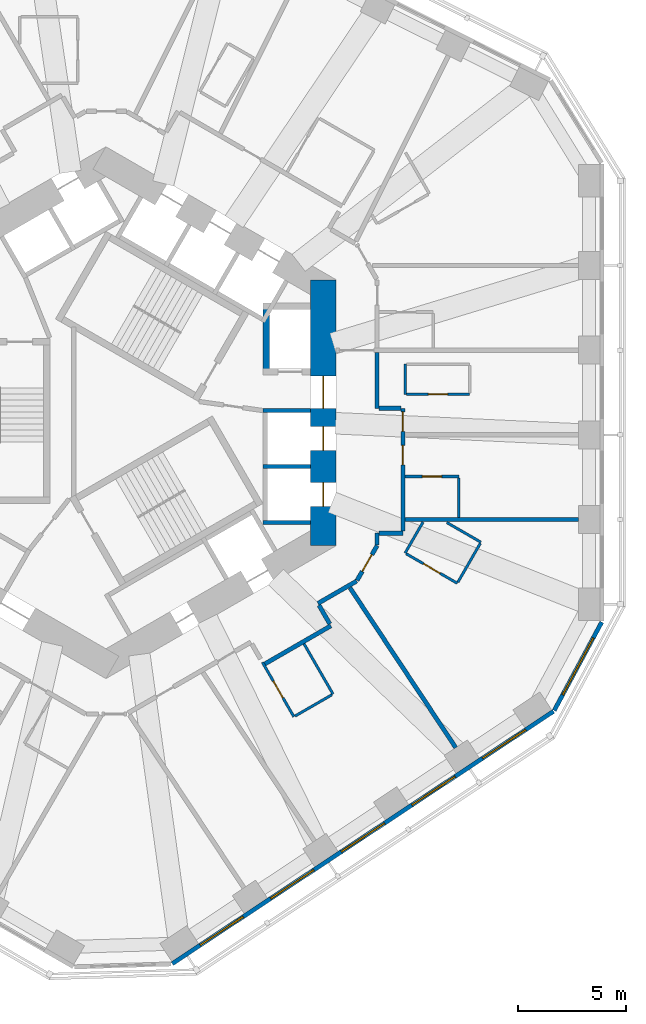
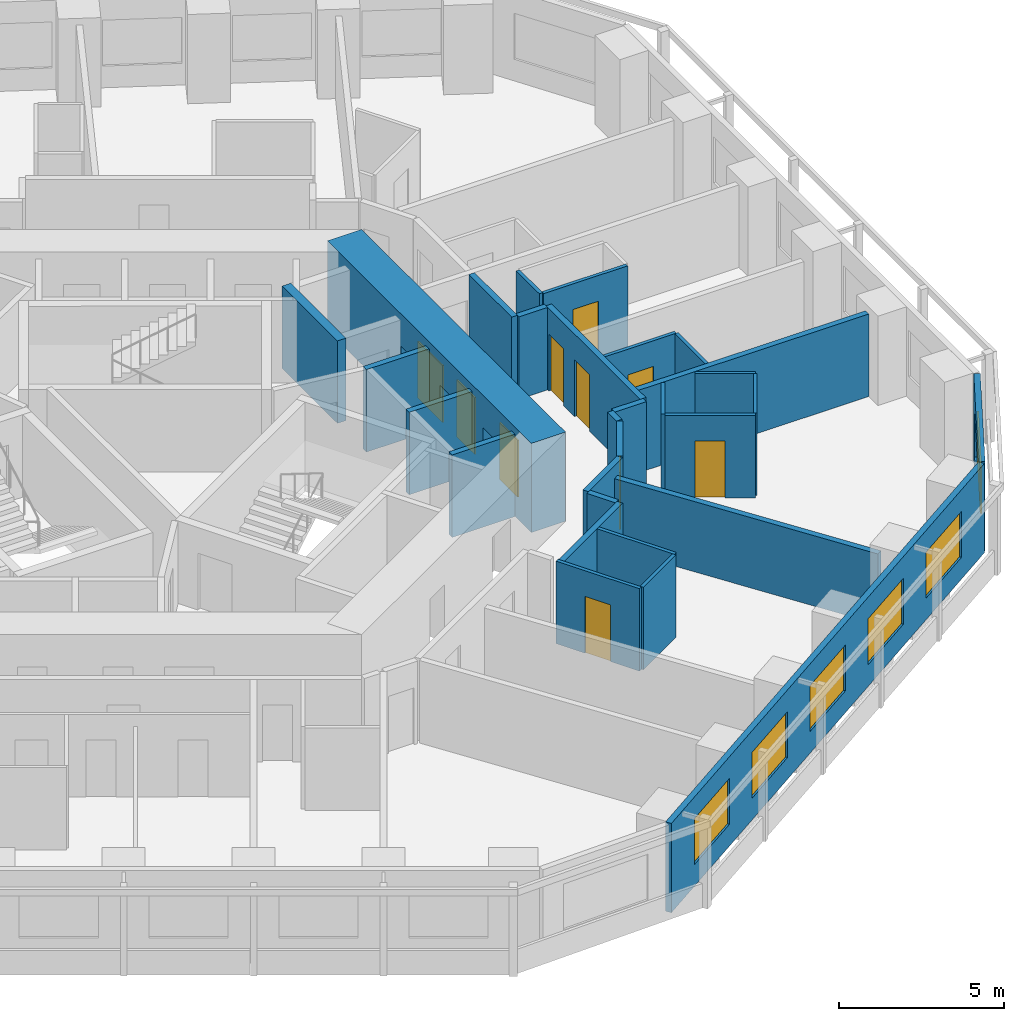
# One storey, part 6 of 12: 29 walls, 10 doors, 6 windows, 16 openings.
"""IFC4 building model written with IfcOpenShell, lengths in metres."""

from ifc_helpers import new_model, si_unit, direction, frame, frame_2d, origin, place, context, subcontext, project, spatial, rectangle, extrude, material, layer, layer_set, type_object, element, fill, save


model = new_model("IFC4")

# Units and contexts
model_context = context("Model", 3, precision=1e-05, world=origin(), true_north=direction((0.0, 1.0)))
body_context = subcontext(model_context, "Body", "Model", "MODEL_VIEW")
ifc_project = project(units=[si_unit("LENGTHUNIT", "METRE"), si_unit("AREAUNIT", "SQUARE_METRE"), si_unit("VOLUMEUNIT", "CUBIC_METRE"), si_unit("PLANEANGLEUNIT", "RADIAN"), si_unit("MASSUNIT", "GRAM", prefix="KILO")], contexts=[model_context])

# Site, building, storey
site_placement = place(None, origin())
site = spatial("IfcSite", under=ifc_project, at=site_placement, CompositionType="ELEMENT")
building_placement = place(site_placement, origin())
building = spatial("IfcBuilding", under=site, at=building_placement, Name="Vanh Sen Convention Tower", CompositionType="ELEMENT")
storey_placement = place(building_placement, frame((0.0, 0.0, 57.199951171875)))
storey = spatial("IfcBuildingStorey", under=building, at=storey_placement, Name="L11", CompositionType="ELEMENT", Elevation=57.199951171875)

# Wall, opening, door
ifc_material_1 = material(Name="Moisture-resistant gypsum board on steel studs", Category="steel")
ifc_layer_1 = layer(ifc_material_1, 0.1201171875)
ifc_layer_set_1 = layer_set([ifc_layer_1], Name="Moisture-resistant gypsum board on steel studs")
wall_type_1 = type_object("IfcWallType", Name="Bathroom partition 120", PredefinedType="PARTITIONING", material=ifc_layer_set_1)
wall_1_placement = place(storey_placement, frame((8.732666015625, -14.12744140625, 0.0), z_axis=(0.0, 0.0, 1.0), x_axis=(-0.499978132246, 0.86603802877, 0.0)))
wall_1 = element("IfcWall", 1, at=wall_1_placement, inside=storey, type_object=wall_type_1, Name="Bathroom partition 120", PredefinedType="PARTITIONING", context=body_context, shape_type="SweptSolid", body=[
    extrude(rectangle(XDim=2.920654296875, YDim=0.1201171875, at=frame_2d((1.46044921875, 0.0))), origin(), (0.0, 0.0, 1.0), 3.050048828125),
])
opening_1_placement = place(wall_1_placement, frame((1.01025390625, 0.0, 0.0)))
opening_1 = element("IfcOpeningElement", 2, at=opening_1_placement, cuts=wall_1, Name="Opening D10136", PredefinedType="OPENING", context=body_context, shape_type="SweptSolid", body=[
    extrude(rectangle(XDim=0.89990234375, YDim=2.10009765625, at=frame_2d((0.449951171875, 1.050048828125))), frame((0.0, 0.070068359375, 0.0), z_axis=(0.0, -1.0, 0.0), x_axis=(1.0, 0.0, 0.0)), (0.0, 0.0, 1.0), 0.14013671875),
])
ifc_material_2 = material(Name="Laminate door in steel frame", Category="steel")
door_type_1 = type_object("IfcDoorType", Name="En-suite door 900", OperationType="SINGLE_SWING_LEFT", PredefinedType="DOOR", material=ifc_material_2)
door_1_placement = place(opening_1_placement, origin())
door_1 = element("IfcDoor", 3, at=door_1_placement, inside=storey, type_object=door_type_1, Name="En-suite door D10136", OperationType="SINGLE_SWING_LEFT", OverallHeight=2.10009765625, OverallWidth=0.89990234375, PredefinedType="DOOR", context=body_context, shape_type="SweptSolid", body=[
    extrude(rectangle(XDim=0.89990234375, YDim=2.10009765625, at=frame_2d((0.449951171875, 1.050048828125))), frame((0.0, 0.02490234375, 0.0), z_axis=(0.0, -1.0, 0.0), x_axis=(1.0, 0.0, 0.0)), (0.0, 0.0, 1.0), 0.050048828125),
])
fill(opening_1, door_1)

# Walls
wall_2_placement = place(storey_placement, frame((9.202880859375, -10.738037109375, 0.0), z_axis=(0.0, 0.0, 1.0), x_axis=(0.50000943426, -0.866019956843, 0.0)))
element("IfcWall", 4, at=wall_2_placement, inside=storey, type_object=wall_type_1, Name="Bathroom partition 120", PredefinedType="PARTITIONING", context=body_context, shape_type="SweptSolid", body=[
    extrude(rectangle(XDim=2.7001953125, YDim=0.1201171875, at=frame_2d((1.35009765625, 0.0))), origin(), (0.0, 0.0, 1.0), 3.050048828125),
])
wall_3_placement = place(storey_placement, frame((10.5009765625, -13.1064453125, 0.0), z_axis=(0.0, 0.0, 1.0), x_axis=(-0.866013262469, -0.500021028785, 0.0)))
element("IfcWall", 5, at=wall_3_placement, inside=storey, type_object=wall_type_1, Name="Bathroom partition 120", PredefinedType="PARTITIONING", context=body_context, shape_type="SweptSolid", body=[
    extrude(rectangle(XDim=1.98193359375, YDim=0.1201171875, at=frame_2d((0.990966796875, 0.0))), origin(), (0.0, 0.0, 1.0), 3.050048828125),
])
wall_4_placement = place(storey_placement, frame((13.90087890625, -6.5244140625, 0.0), z_axis=(0.0, 0.0, 1.0), x_axis=(0.499964162598, 0.86604609353, 0.0)))
element("IfcWall", 6, at=wall_4_placement, inside=storey, type_object=wall_type_1, Name="Bathroom partition 120", PredefinedType="PARTITIONING", context=body_context, shape_type="SweptSolid", body=[
    extrude(rectangle(XDim=1.6611328125, YDim=0.1201171875, at=frame_2d((0.83056640625, 0.0))), origin(), (0.0, 0.0, 1.0), 3.050048828125),
])

# Wall, opening, door
wall_5_placement = place(storey_placement, frame((13.90087890625, -2.964599609375, 0.0), z_axis=(0.0, 0.0, 1.0), x_axis=(1.0, 0.0, 0.0)))
wall_5 = element("IfcWall", 7, at=wall_5_placement, inside=storey, type_object=wall_type_1, Name="Bathroom partition 120", PredefinedType="PARTITIONING", context=body_context, shape_type="SweptSolid", body=[
    extrude(rectangle(XDim=2.5, YDim=0.1201171875, at=frame_2d((1.25, 0.0))), origin(), (0.0, 0.0, 1.0), 3.050048828125),
])
opening_2_placement = place(wall_5_placement, frame((0.800048828125, 0.0, 0.0)))
opening_2 = element("IfcOpeningElement", 8, at=opening_2_placement, cuts=wall_5, Name="Opening D10102", PredefinedType="OPENING", context=body_context, shape_type="SweptSolid", body=[
    extrude(rectangle(XDim=0.89990234375, YDim=2.10009765625, at=frame_2d((0.449951171875, 1.050048828125))), frame((0.0, 0.070068359375, 0.0), z_axis=(0.0, -1.0, 0.0), x_axis=(1.0, 0.0, 0.0)), (0.0, 0.0, 1.0), 0.14013671875),
])
door_2_placement = place(opening_2_placement, origin())
door_2 = element("IfcDoor", 9, at=door_2_placement, inside=storey, type_object=door_type_1, Name="En-suite door D10102", OperationType="SINGLE_SWING_LEFT", OverallHeight=2.10009765625, OverallWidth=0.89990234375, PredefinedType="DOOR", context=body_context, shape_type="SweptSolid", body=[
    extrude(rectangle(XDim=0.89990234375, YDim=2.10009765625, at=frame_2d((0.449951171875, 1.050048828125))), frame((0.0, 0.02490234375, 0.0), z_axis=(0.0, -1.0, 0.0), x_axis=(1.0, 0.0, 0.0)), (0.0, 0.0, 1.0), 0.050048828125),
])
fill(opening_2, door_2)

# Walls
wall_6_placement = place(storey_placement, frame((13.89990234375, 0.852783203125, 0.0), z_axis=(0.0, 0.0, 1.0), x_axis=(0.0, 1.0, 0.0)))
element("IfcWall", 10, at=wall_6_placement, inside=storey, type_object=wall_type_1, Name="Bathroom partition 120", PredefinedType="PARTITIONING", context=body_context, shape_type="SweptSolid", body=[
    extrude(rectangle(XDim=1.39990234375, YDim=0.1201171875, at=frame_2d((0.699951171875, 0.0))), origin(), (0.0, 0.0, 1.0), 3.050048828125),
])
wall_7_placement = place(storey_placement, frame((15.84130859375, -5.1044921875, 0.0), z_axis=(0.0, 0.0, 1.0), x_axis=(0.866025591402, -0.499999675036, 0.0)))
element("IfcWall", 11, at=wall_7_placement, inside=storey, type_object=wall_type_1, Name="Bathroom partition 120", PredefinedType="PARTITIONING", context=body_context, shape_type="SweptSolid", body=[
    extrude(rectangle(XDim=1.82958984375, YDim=0.1201171875, at=frame_2d((0.914794921875, 0.0))), origin(), (0.0, 0.0, 1.0), 3.050048828125),
])

# Wall, opening, door
wall_8_placement = place(storey_placement, frame((16.32568359375, -7.924560546875, 0.0), z_axis=(0.0, 0.0, 1.0), x_axis=(-0.865997131366, 0.500048966069, 0.0)))
wall_8 = element("IfcWall", 12, at=wall_8_placement, inside=storey, type_object=wall_type_1, Name="Bathroom partition 120", PredefinedType="PARTITIONING", context=body_context, shape_type="SweptSolid", body=[
    extrude(rectangle(XDim=2.739990234375, YDim=0.1201171875, at=frame_2d((1.3701171875, 0.0))), origin(), (0.0, 0.0, 1.0), 3.050048828125),
])
opening_3_placement = place(wall_8_placement, frame((0.919921875, 0.0, 0.0)))
opening_3 = element("IfcOpeningElement", 13, at=opening_3_placement, cuts=wall_8, Name="Opening D10138", PredefinedType="OPENING", context=body_context, shape_type="SweptSolid", body=[
    extrude(rectangle(XDim=0.89990234375, YDim=2.10009765625, at=frame_2d((0.449951171875, 1.050048828125))), frame((0.0, 0.070068359375, 0.0), z_axis=(0.0, -1.0, 0.0), x_axis=(1.0, 0.0, 0.0)), (0.0, 0.0, 1.0), 0.14013671875),
])
door_3_placement = place(opening_3_placement, origin())
door_3 = element("IfcDoor", 14, at=door_3_placement, inside=storey, type_object=door_type_1, Name="En-suite door D10138", OperationType="SINGLE_SWING_LEFT", OverallHeight=2.10009765625, OverallWidth=0.89990234375, PredefinedType="DOOR", context=body_context, shape_type="SweptSolid", body=[
    extrude(rectangle(XDim=0.89990234375, YDim=2.10009765625, at=frame_2d((0.449951171875, 1.050048828125))), frame((0.0, 0.02490234375, 0.0), z_axis=(0.0, -1.0, 0.0), x_axis=(1.0, 0.0, 0.0)), (0.0, 0.0, 1.0), 0.050048828125),
])
fill(opening_3, door_3)

# Wall
wall_9_placement = place(storey_placement, frame((16.40087890625, -3.024658203125, 0.0), z_axis=(0.0, 0.0, 1.0), x_axis=(0.0, -1.0, 0.0)))
element("IfcWall", 15, at=wall_9_placement, inside=storey, type_object=wall_type_1, Name="Bathroom partition 120", PredefinedType="PARTITIONING", context=body_context, shape_type="SweptSolid", body=[
    extrude(rectangle(XDim=1.83984375, YDim=0.1201171875, at=frame_2d((0.919921875, 0.0))), origin(), (0.0, 0.0, 1.0), 3.050048828125),
])

# Wall, opening, door
wall_10_placement = place(storey_placement, frame((16.89990234375, 0.852783203125, 0.0), z_axis=(0.0, 0.0, 1.0), x_axis=(-1.0, 0.0, 0.0)))
wall_10 = element("IfcWall", 16, at=wall_10_placement, inside=storey, type_object=wall_type_1, Name="Bathroom partition 120", PredefinedType="PARTITIONING", context=body_context, shape_type="SweptSolid", body=[
    extrude(rectangle(XDim=2.93994140625, YDim=0.1201171875, at=frame_2d((1.469970703125, 0.0))), origin(), (0.0, 0.0, 1.0), 3.050048828125),
])
opening_4_placement = place(wall_10_placement, frame((1.02001953125, 0.0, 0.0)))
opening_4 = element("IfcOpeningElement", 17, at=opening_4_placement, cuts=wall_10, Name="Opening D10104", PredefinedType="OPENING", context=body_context, shape_type="SweptSolid", body=[
    extrude(rectangle(XDim=0.89990234375, YDim=2.10009765625, at=frame_2d((0.449951171875, 1.050048828125))), frame((0.0, 0.070068359375, 0.0), z_axis=(0.0, -1.0, 0.0), x_axis=(1.0, 0.0, 0.0)), (0.0, 0.0, 1.0), 0.14013671875),
])
door_4_placement = place(opening_4_placement, origin())
door_4 = element("IfcDoor", 18, at=door_4_placement, inside=storey, type_object=door_type_1, Name="En-suite door D10104", OperationType="SINGLE_SWING_LEFT", OverallHeight=2.10009765625, OverallWidth=0.89990234375, PredefinedType="DOOR", context=body_context, shape_type="SweptSolid", body=[
    extrude(rectangle(XDim=0.89990234375, YDim=2.10009765625, at=frame_2d((0.449951171875, 1.050048828125))), frame((0.0, 0.02490234375, 0.0), z_axis=(0.0, -1.0, 0.0), x_axis=(1.0, 0.0, 0.0)), (0.0, 0.0, 1.0), 0.050048828125),
])
fill(opening_4, door_4)

# Wall
wall_11_placement = place(storey_placement, frame((17.395751953125, -6.0712890625, 0.0), z_axis=(0.0, 0.0, 1.0), x_axis=(-0.500027264788, -0.866009661879, 0.0)))
element("IfcWall", 19, at=wall_11_placement, inside=storey, type_object=wall_type_1, Name="Bathroom partition 120", PredefinedType="PARTITIONING", context=body_context, shape_type="SweptSolid", body=[
    extrude(rectangle(XDim=2.080078125, YDim=0.1201171875, at=frame_2d((1.0400390625, 0.0))), origin(), (0.0, 0.0, 1.0), 3.050048828125),
])

# Wall, openings, doors
ifc_material_3 = material(Name="Concrete C80/95", Category="concrete")
ifc_layer_2 = layer(ifc_material_3, 1.199951171875)
ifc_layer_set_2 = layer_set([ifc_layer_2], Name="Concrete C80/95")
wall_type_2 = type_object("IfcWallType", Name="Core outer wall 1200 C80/95", PredefinedType="SHEAR", material=ifc_layer_set_2)
wall_12_placement = place(storey_placement, frame((10.10009765625, -6.177490234375, 0.0), z_axis=(0.0, 0.0, 1.0), x_axis=(0.0, 1.0, 0.0)))
wall_12 = element("IfcWall", 20, at=wall_12_placement, inside=storey, type_object=wall_type_2, Name="Core wall face E L11", PredefinedType="SHEAR", context=body_context, shape_type="SweptSolid", body=[
    extrude(rectangle(XDim=12.35498046875, YDim=1.199951171875, at=frame_2d((6.177490234375, 0.0))), origin(), (0.0, 0.0, 1.0), 3.300048828125),
])
opening_5_placement = place(wall_12_placement, frame((6.377685546875, 0.0, 0.0)))
opening_5 = element("IfcOpeningElement", 21, at=opening_5_placement, cuts=wall_12, Name="Opening D10001", PredefinedType="OPENING", context=body_context, shape_type="SweptSolid", body=[
    extrude(rectangle(XDim=1.5, YDim=2.10009765625, at=frame_2d((0.75, 1.050048828125))), frame((0.0, 0.60986328125, 0.0), z_axis=(0.0, -1.0, 0.0), x_axis=(1.0, 0.0, 0.0)), (0.0, 0.0, 1.0), 1.219970703125),
])
opening_6_placement = place(wall_12_placement, frame((1.82763671875, 0.0, 0.0)))
opening_6 = element("IfcOpeningElement", 22, at=opening_6_placement, cuts=wall_12, Name="Opening LD-LR1", PredefinedType="OPENING", context=body_context, shape_type="SweptSolid", body=[
    extrude(rectangle(XDim=1.10009765625, YDim=2.10009765625, at=frame_2d((0.550048828125, 1.050048828125))), frame((0.0, 0.60986328125, 0.0), z_axis=(0.0, -1.0, 0.0), x_axis=(1.0, 0.0, 0.0)), (0.0, 0.0, 1.0), 1.219970703125),
])
opening_7_placement = place(wall_12_placement, frame((4.427490234375, 0.0, 0.0)))
opening_7 = element("IfcOpeningElement", 23, at=opening_7_placement, cuts=wall_12, Name="Opening LD-LR2", PredefinedType="OPENING", context=body_context, shape_type="SweptSolid", body=[
    extrude(rectangle(XDim=1.10009765625, YDim=2.10009765625, at=frame_2d((0.550048828125, 1.050048828125))), frame((0.0, 0.60986328125, 0.0), z_axis=(0.0, -1.0, 0.0), x_axis=(1.0, 0.0, 0.0)), (0.0, 0.0, 1.0), 1.219970703125),
])
ifc_material_4 = material(Name="Stainless steel", Category="steel")
door_type_2 = type_object("IfcDoorType", Name="Lift landing door 1100", OperationType="DOUBLE_DOOR_SLIDING", PredefinedType="DOOR", material=ifc_material_4)
door_5_placement = place(opening_6_placement, origin())
door_5 = element("IfcDoor", 24, at=door_5_placement, inside=storey, type_object=door_type_2, Name="Lift LR1 landing door LD-LR1", OperationType="DOUBLE_DOOR_SLIDING", OverallHeight=2.10009765625, OverallWidth=1.10009765625, PredefinedType="DOOR", context=body_context, shape_type="SweptSolid", body=[
    extrude(rectangle(XDim=1.10009765625, YDim=2.10009765625, at=frame_2d((0.550048828125, 1.050048828125))), frame((0.0, 0.02490234375, 0.0), z_axis=(0.0, -1.0, 0.0), x_axis=(1.0, 0.0, 0.0)), (0.0, 0.0, 1.0), 0.050048828125),
])
fill(opening_6, door_5)
door_6_placement = place(opening_7_placement, origin())
door_6 = element("IfcDoor", 25, at=door_6_placement, inside=storey, type_object=door_type_2, Name="Lift LR2 landing door LD-LR2", OperationType="DOUBLE_DOOR_SLIDING", OverallHeight=2.10009765625, OverallWidth=1.10009765625, PredefinedType="DOOR", context=body_context, shape_type="SweptSolid", body=[
    extrude(rectangle(XDim=1.10009765625, YDim=2.10009765625, at=frame_2d((0.550048828125, 1.050048828125))), frame((0.0, 0.02490234375, 0.0), z_axis=(0.0, -1.0, 0.0), x_axis=(1.0, 0.0, 0.0)), (0.0, 0.0, 1.0), 0.050048828125),
])
fill(opening_7, door_6)
ifc_material_5 = material(Name="Steel S355", Category="steel")
door_type_3 = type_object("IfcDoorType", Name="Stair lobby door 1500", OperationType="DOUBLE_DOOR_SINGLE_SWING", PredefinedType="DOOR", material=ifc_material_5)
door_7_placement = place(opening_5_placement, origin())
door_7 = element("IfcDoor", 26, at=door_7_placement, inside=storey, type_object=door_type_3, Name="Stair lobby door D10001", OperationType="DOUBLE_DOOR_SINGLE_SWING", OverallHeight=2.10009765625, OverallWidth=1.5, PredefinedType="DOOR", context=body_context, shape_type="SweptSolid", body=[
    extrude(rectangle(XDim=1.5, YDim=2.10009765625, at=frame_2d((0.75, 1.050048828125))), frame((0.0, 0.02490234375, 0.0), z_axis=(0.0, -1.0, 0.0), x_axis=(1.0, 0.0, 0.0)), (0.0, 0.0, 1.0), 0.050048828125),
])
fill(opening_5, door_7)

# Walls
ifc_material_6 = material(Name="Gypsum board on steel studs with mineral wool", Category="steel")
ifc_layer_3 = layer(ifc_material_6, 0.199951171875)
ifc_layer_set_3 = layer_set([ifc_layer_3], Name="Gypsum board on steel studs with mineral wool")
wall_type_3 = type_object("IfcWallType", Name="Corridor partition wall 200", PredefinedType="PARTITIONING", material=ifc_layer_set_3)
wall_13_placement = place(storey_placement, frame((7.384521484375, -11.672607421875, 0.0), z_axis=(0.0, 0.0, 1.0), x_axis=(0.866037524642, 0.499979005472, 0.0)))
element("IfcWall", 27, at=wall_13_placement, inside=storey, type_object=wall_type_3, Name="Corridor partition wall 200", PredefinedType="PARTITIONING", context=body_context, shape_type="SweptSolid", body=[
    extrude(rectangle(XDim=3.542236328125, YDim=0.199951171875, at=frame_2d((1.77099609375, 0.0))), origin(), (0.0, 0.0, 1.0), 3.050048828125),
])
wall_14_placement = place(storey_placement, frame((9.8515625, -8.861328125, 0.0), z_axis=(0.0, 0.0, 1.0), x_axis=(0.866013291437, 0.500020978615, 0.0)))
element("IfcWall", 28, at=wall_14_placement, inside=storey, type_object=wall_type_3, Name="Corridor partition wall 200", PredefinedType="PARTITIONING", context=body_context, shape_type="SweptSolid", body=[
    extrude(rectangle(XDim=2.07666015625, YDim=0.199951171875, at=frame_2d((1.038330078125, 0.0))), origin(), (0.0, 0.0, 1.0), 3.050048828125),
])
wall_15_placement = place(storey_placement, frame((10.402099609375, -9.81494140625, 0.0), z_axis=(0.0, 0.0, 1.0), x_axis=(-0.499968756647, 0.866043441391, 0.0)))
element("IfcWall", 29, at=wall_15_placement, inside=storey, type_object=wall_type_3, Name="Corridor partition wall 200", PredefinedType="PARTITIONING", context=body_context, shape_type="SweptSolid", body=[
    extrude(rectangle(XDim=1.0009765625, YDim=0.199951171875, at=frame_2d((0.50048828125, 0.0))), origin(), (0.0, 0.0, 1.0), 3.050048828125),
])

# Wall, opening, door
wall_16_placement = place(storey_placement, frame((11.669921875, -7.788330078125, 0.0), z_axis=(0.0, 0.0, 1.0), x_axis=(0.500063286585, 0.865988862174, 0.0)))
wall_16 = element("IfcWall", 30, at=wall_16_placement, inside=storey, type_object=wall_type_3, Name="Corridor partition wall 200", PredefinedType="PARTITIONING", context=body_context, shape_type="SweptSolid", body=[
    extrude(rectangle(XDim=1.860107421875, YDim=0.199951171875, at=frame_2d((0.93017578125, 0.0))), origin(), (0.0, 0.0, 1.0), 3.050048828125),
])
opening_8_placement = place(wall_16_placement, frame((0.47998046875, 0.0, 0.0)))
opening_8 = element("IfcOpeningElement", 31, at=opening_8_placement, cuts=wall_16, Name="Opening D10137", PredefinedType="OPENING", context=body_context, shape_type="SweptSolid", body=[
    extrude(rectangle(XDim=0.89990234375, YDim=2.10009765625, at=frame_2d((0.449951171875, 1.050048828125))), frame((0.0, 0.10986328125, 0.0), z_axis=(0.0, -1.0, 0.0), x_axis=(1.0, 0.0, 0.0)), (0.0, 0.0, 1.0), 0.219970703125),
])
ifc_material_7 = material(Name="Timber fire door in steel frame", Category="steel")
door_type_4 = type_object("IfcDoorType", Name="Guest room door 900", OperationType="SINGLE_SWING_LEFT", PredefinedType="DOOR", material=ifc_material_7)
door_8_placement = place(opening_8_placement, origin())
door_8 = element("IfcDoor", 32, at=door_8_placement, inside=storey, type_object=door_type_4, Name="Hotel guest room door D10137", OperationType="SINGLE_SWING_LEFT", OverallHeight=2.10009765625, OverallWidth=0.89990234375, PredefinedType="DOOR", context=body_context, shape_type="SweptSolid", body=[
    extrude(rectangle(XDim=0.89990234375, YDim=2.10009765625, at=frame_2d((0.449951171875, 1.050048828125))), frame((0.0, 0.02490234375, 0.0), z_axis=(0.0, -1.0, 0.0), x_axis=(1.0, 0.0, 0.0)), (0.0, 0.0, 1.0), 0.050048828125),
])
fill(opening_8, door_8)

# Walls
wall_17_placement = place(storey_placement, frame((12.60009765625, -6.1376953125, 0.0), z_axis=(0.0, 0.0, 1.0), x_axis=(0.0, 1.0, 0.0)))
element("IfcWall", 33, at=wall_17_placement, inside=storey, type_object=wall_type_3, Name="Corridor partition wall 200", PredefinedType="PARTITIONING", context=body_context, shape_type="SweptSolid", body=[
    extrude(rectangle(XDim=0.53662109375, YDim=0.199951171875, at=frame_2d((0.268310546875, 0.0))), origin(), (0.0, 0.0, 1.0), 3.050048828125),
])
wall_18_placement = place(storey_placement, frame((12.60009765625, 0.200927734375, 0.0), z_axis=(0.0, 0.0, 1.0), x_axis=(0.0, 1.0, 0.0)))
element("IfcWall", 34, at=wall_18_placement, inside=storey, type_object=wall_type_3, Name="Corridor partition wall 200", PredefinedType="PARTITIONING", context=body_context, shape_type="SweptSolid", body=[
    extrude(rectangle(XDim=2.603515625, YDim=0.199951171875, at=frame_2d((1.3017578125, 0.0))), origin(), (0.0, 0.0, 1.0), 3.050048828125),
])
wall_19_placement = place(storey_placement, frame((12.699951171875, -5.60107421875, 0.0), z_axis=(0.0, 0.0, 1.0), x_axis=(1.0, 0.0, 0.0)))
element("IfcWall", 35, at=wall_19_placement, inside=storey, type_object=wall_type_3, Name="Corridor partition wall 200", PredefinedType="PARTITIONING", context=body_context, shape_type="SweptSolid", body=[
    extrude(rectangle(XDim=1.10107421875, YDim=0.199951171875, at=frame_2d((0.550537109375, 0.0))), origin(), (0.0, 0.0, 1.0), 3.050048828125),
])
wall_20_placement = place(storey_placement, frame((13.700927734375, 0.200927734375, 0.0), z_axis=(0.0, 0.0, 1.0), x_axis=(-1.0, 0.0, 0.0)))
element("IfcWall", 36, at=wall_20_placement, inside=storey, type_object=wall_type_3, Name="Corridor partition wall 200", PredefinedType="PARTITIONING", context=body_context, shape_type="SweptSolid", body=[
    extrude(rectangle(XDim=1.0009765625, YDim=0.199951171875, at=frame_2d((0.50048828125, 0.0))), origin(), (0.0, 0.0, 1.0), 3.050048828125),
])

# Wall, openings, doors
wall_21_placement = place(storey_placement, frame((13.801025390625, -5.5009765625, 0.0), z_axis=(0.0, 0.0, 1.0), x_axis=(0.0, 1.0, 0.0)))
wall_21 = element("IfcWall", 37, at=wall_21_placement, inside=storey, type_object=wall_type_3, Name="Corridor partition wall 200", PredefinedType="PARTITIONING", context=body_context, shape_type="SweptSolid", body=[
    extrude(rectangle(XDim=5.701904296875, YDim=0.199951171875, at=frame_2d((2.85107421875, 0.0))), origin(), (0.0, 0.0, 1.0), 3.050048828125),
])
opening_9_placement = place(wall_21_placement, frame((3.07861328125, 0.0, 0.0)))
opening_9 = element("IfcOpeningElement", 38, at=opening_9_placement, cuts=wall_21, Name="Opening D10101", PredefinedType="OPENING", context=body_context, shape_type="SweptSolid", body=[
    extrude(rectangle(XDim=0.89990234375, YDim=2.10009765625, at=frame_2d((0.449951171875, 1.050048828125))), frame((0.0, 0.10986328125, 0.0), z_axis=(0.0, -1.0, 0.0), x_axis=(1.0, 0.0, 0.0)), (0.0, 0.0, 1.0), 0.219970703125),
])
opening_10_placement = place(wall_21_placement, frame((4.636474609375, 0.0, 0.0)))
opening_10 = element("IfcOpeningElement", 39, at=opening_10_placement, cuts=wall_21, Name="Opening D10103", PredefinedType="OPENING", context=body_context, shape_type="SweptSolid", body=[
    extrude(rectangle(XDim=0.89990234375, YDim=2.10009765625, at=frame_2d((0.449951171875, 1.050048828125))), frame((0.0, 0.10986328125, 0.0), z_axis=(0.0, -1.0, 0.0), x_axis=(1.0, 0.0, 0.0)), (0.0, 0.0, 1.0), 0.219970703125),
])
door_9_placement = place(opening_9_placement, origin())
door_9 = element("IfcDoor", 40, at=door_9_placement, inside=storey, type_object=door_type_4, Name="Hotel guest room door D10101", OperationType="SINGLE_SWING_LEFT", OverallHeight=2.10009765625, OverallWidth=0.89990234375, PredefinedType="DOOR", context=body_context, shape_type="SweptSolid", body=[
    extrude(rectangle(XDim=0.89990234375, YDim=2.10009765625, at=frame_2d((0.449951171875, 1.050048828125))), frame((0.0, 0.02490234375, 0.0), z_axis=(0.0, -1.0, 0.0), x_axis=(1.0, 0.0, 0.0)), (0.0, 0.0, 1.0), 0.050048828125),
])
fill(opening_9, door_9)
door_10_placement = place(opening_10_placement, origin())
door_10 = element("IfcDoor", 41, at=door_10_placement, inside=storey, type_object=door_type_4, Name="Hotel guest room door D10103", OperationType="SINGLE_SWING_LEFT", OverallHeight=2.10009765625, OverallWidth=0.89990234375, PredefinedType="DOOR", context=body_context, shape_type="SweptSolid", body=[
    extrude(rectangle(XDim=0.89990234375, YDim=2.10009765625, at=frame_2d((0.449951171875, 1.050048828125))), frame((0.0, 0.02490234375, 0.0), z_axis=(0.0, -1.0, 0.0), x_axis=(1.0, 0.0, 0.0)), (0.0, 0.0, 1.0), 0.050048828125),
])
fill(opening_10, door_10)

# Wall, openings, windows
ifc_material_8 = material(Name="Insulated lightweight infill wall")
ifc_layer_4 = layer(ifc_material_8, 0.199951171875)
ifc_layer_set_4 = layer_set([ifc_layer_4], Name="Insulated lightweight infill wall")
wall_type_4 = type_object("IfcWallType", Name="External wall 200", PredefinedType="STANDARD", material=ifc_layer_set_4)
wall_22_placement = place(storey_placement, frame((3.0830078125, -25.60107421875, 0.0), z_axis=(0.0, 0.0, 1.0), x_axis=(0.833884295743, 0.551939291329, 0.0)))
wall_22 = element("IfcWall", 42, at=wall_22_placement, inside=storey, type_object=wall_type_4, Name="External wall SE L11", PredefinedType="STANDARD", context=body_context, shape_type="SweptSolid", body=[
    extrude(rectangle(XDim=21.24609375, YDim=0.199951171875, at=frame_2d((10.623046875, 0.0))), origin(), (0.0, 0.0, 1.0), 3.300048828125),
])
opening_11_placement = place(wall_22_placement, frame((1.552978515625, 0.0, 0.800048828125)))
opening_11 = element("IfcOpeningElement", 43, at=opening_11_placement, cuts=wall_22, Name="Opening WH1-SE1", PredefinedType="OPENING", context=body_context, shape_type="SweptSolid", body=[
    extrude(rectangle(XDim=2.39990234375, YDim=1.699951171875, at=frame_2d((1.199951171875, 0.85009765625))), frame((0.0, 0.10986328125, 0.0), z_axis=(0.0, -1.0, 0.0), x_axis=(1.0, 0.0, 0.0)), (0.0, 0.0, 1.0), 0.219970703125),
])
opening_12_placement = place(wall_22_placement, frame((5.487548828125, 0.0, 0.800048828125)))
opening_12 = element("IfcOpeningElement", 44, at=opening_12_placement, cuts=wall_22, Name="Opening WH1-SE2", PredefinedType="OPENING", context=body_context, shape_type="SweptSolid", body=[
    extrude(rectangle(XDim=2.39990234375, YDim=1.699951171875, at=frame_2d((1.199951171875, 0.85009765625))), frame((0.0, 0.10986328125, 0.0), z_axis=(0.0, -1.0, 0.0), x_axis=(1.0, 0.0, 0.0)), (0.0, 0.0, 1.0), 0.219970703125),
])
opening_13_placement = place(wall_22_placement, frame((9.422119140625, 0.0, 0.800048828125)))
opening_13 = element("IfcOpeningElement", 45, at=opening_13_placement, cuts=wall_22, Name="Opening WH1-SE3", PredefinedType="OPENING", context=body_context, shape_type="SweptSolid", body=[
    extrude(rectangle(XDim=2.39990234375, YDim=1.699951171875, at=frame_2d((1.199951171875, 0.85009765625))), frame((0.0, 0.10986328125, 0.0), z_axis=(0.0, -1.0, 0.0), x_axis=(1.0, 0.0, 0.0)), (0.0, 0.0, 1.0), 0.219970703125),
])
opening_14_placement = place(wall_22_placement, frame((13.356689453125, 0.0, 0.800048828125)))
opening_14 = element("IfcOpeningElement", 46, at=opening_14_placement, cuts=wall_22, Name="Opening WH1-SE4", PredefinedType="OPENING", context=body_context, shape_type="SweptSolid", body=[
    extrude(rectangle(XDim=2.39990234375, YDim=1.699951171875, at=frame_2d((1.199951171875, 0.85009765625))), frame((0.0, 0.10986328125, 0.0), z_axis=(0.0, -1.0, 0.0), x_axis=(1.0, 0.0, 0.0)), (0.0, 0.0, 1.0), 0.219970703125),
])
opening_15_placement = place(wall_22_placement, frame((17.291259765625, 0.0, 0.800048828125)))
opening_15 = element("IfcOpeningElement", 47, at=opening_15_placement, cuts=wall_22, Name="Opening WH1-SE5", PredefinedType="OPENING", context=body_context, shape_type="SweptSolid", body=[
    extrude(rectangle(XDim=2.39990234375, YDim=1.699951171875, at=frame_2d((1.199951171875, 0.85009765625))), frame((0.0, 0.10986328125, 0.0), z_axis=(0.0, -1.0, 0.0), x_axis=(1.0, 0.0, 0.0)), (0.0, 0.0, 1.0), 0.219970703125),
])
ifc_material_9 = material(Name="Aluminium frame with clear low-emissivity glass", Category="aluminium")
window_type_1 = type_object("IfcWindowType", Name="Hotel window 2400 x 1700", PartitioningType="SINGLE_PANEL", PredefinedType="WINDOW", material=ifc_material_9)
window_1_placement = place(opening_11_placement, origin())
window_1 = element("IfcWindow", 48, at=window_1_placement, inside=storey, type_object=window_type_1, Name="Window WH1-SE1", OverallHeight=1.699951171875, OverallWidth=2.39990234375, PartitioningType="SINGLE_PANEL", PredefinedType="WINDOW", context=body_context, shape_type="SweptSolid", body=[
    extrude(rectangle(XDim=2.39990234375, YDim=1.699951171875, at=frame_2d((1.199951171875, 0.85009765625))), frame((0.0, 0.030029296875, 0.0), z_axis=(0.0, -1.0, 0.0), x_axis=(1.0, 0.0, 0.0)), (0.0, 0.0, 1.0), 0.06005859375),
])
fill(opening_11, window_1)
window_2_placement = place(opening_12_placement, origin())
window_2 = element("IfcWindow", 49, at=window_2_placement, inside=storey, type_object=window_type_1, Name="Window WH1-SE2", OverallHeight=1.699951171875, OverallWidth=2.39990234375, PartitioningType="SINGLE_PANEL", PredefinedType="WINDOW", context=body_context, shape_type="SweptSolid", body=[
    extrude(rectangle(XDim=2.39990234375, YDim=1.699951171875, at=frame_2d((1.199951171875, 0.85009765625))), frame((0.0, 0.030029296875, 0.0), z_axis=(0.0, -1.0, 0.0), x_axis=(1.0, 0.0, 0.0)), (0.0, 0.0, 1.0), 0.06005859375),
])
fill(opening_12, window_2)
window_3_placement = place(opening_13_placement, origin())
window_3 = element("IfcWindow", 50, at=window_3_placement, inside=storey, type_object=window_type_1, Name="Window WH1-SE3", OverallHeight=1.699951171875, OverallWidth=2.39990234375, PartitioningType="SINGLE_PANEL", PredefinedType="WINDOW", context=body_context, shape_type="SweptSolid", body=[
    extrude(rectangle(XDim=2.39990234375, YDim=1.699951171875, at=frame_2d((1.199951171875, 0.85009765625))), frame((0.0, 0.030029296875, 0.0), z_axis=(0.0, -1.0, 0.0), x_axis=(1.0, 0.0, 0.0)), (0.0, 0.0, 1.0), 0.06005859375),
])
fill(opening_13, window_3)
window_4_placement = place(opening_14_placement, origin())
window_4 = element("IfcWindow", 51, at=window_4_placement, inside=storey, type_object=window_type_1, Name="Window WH1-SE4", OverallHeight=1.699951171875, OverallWidth=2.39990234375, PartitioningType="SINGLE_PANEL", PredefinedType="WINDOW", context=body_context, shape_type="SweptSolid", body=[
    extrude(rectangle(XDim=2.39990234375, YDim=1.699951171875, at=frame_2d((1.199951171875, 0.85009765625))), frame((0.0, 0.030029296875, 0.0), z_axis=(0.0, -1.0, 0.0), x_axis=(1.0, 0.0, 0.0)), (0.0, 0.0, 1.0), 0.06005859375),
])
fill(opening_14, window_4)
window_5_placement = place(opening_15_placement, origin())
window_5 = element("IfcWindow", 52, at=window_5_placement, inside=storey, type_object=window_type_1, Name="Window WH1-SE5", OverallHeight=1.699951171875, OverallWidth=2.39990234375, PartitioningType="SINGLE_PANEL", PredefinedType="WINDOW", context=body_context, shape_type="SweptSolid", body=[
    extrude(rectangle(XDim=2.39990234375, YDim=1.699951171875, at=frame_2d((1.199951171875, 0.85009765625))), frame((0.0, 0.030029296875, 0.0), z_axis=(0.0, -1.0, 0.0), x_axis=(1.0, 0.0, 0.0)), (0.0, 0.0, 1.0), 0.06005859375),
])
fill(opening_15, window_5)

# Wall, opening, window
wall_23_placement = place(storey_placement, frame((20.83251953125, -13.838623046875, 0.0), z_axis=(0.0, 0.0, 1.0), x_axis=(0.473321668581, 0.880889662813, 0.0)))
wall_23 = element("IfcWall", 53, at=wall_23_placement, inside=storey, type_object=wall_type_4, Name="External wall CH6 L11", PredefinedType="STANDARD", context=body_context, shape_type="SweptSolid", body=[
    extrude(rectangle(XDim=4.65966796875, YDim=0.199951171875, at=frame_2d((2.329833984375, 0.0))), origin(), (0.0, 0.0, 1.0), 3.300048828125),
])
opening_16_placement = place(wall_23_placement, frame((0.829833984375, 0.0, 0.800048828125)))
opening_16 = element("IfcOpeningElement", 54, at=opening_16_placement, cuts=wall_23, Name="Opening WH2-CH61", PredefinedType="OPENING", context=body_context, shape_type="SweptSolid", body=[
    extrude(rectangle(XDim=3.0, YDim=1.699951171875, at=frame_2d((1.5, 0.85009765625))), frame((0.0, 0.10986328125, 0.0), z_axis=(0.0, -1.0, 0.0), x_axis=(1.0, 0.0, 0.0)), (0.0, 0.0, 1.0), 0.219970703125),
])
window_type_2 = type_object("IfcWindowType", Name="Hotel window 3000 x 1700", PartitioningType="SINGLE_PANEL", PredefinedType="WINDOW", material=ifc_material_9)
window_6_placement = place(opening_16_placement, origin())
window_6 = element("IfcWindow", 55, at=window_6_placement, inside=storey, type_object=window_type_2, Name="Window WH2-CH61", OverallHeight=1.699951171875, OverallWidth=3.0, PartitioningType="SINGLE_PANEL", PredefinedType="WINDOW", context=body_context, shape_type="SweptSolid", body=[
    extrude(rectangle(XDim=3.0, YDim=1.699951171875, at=frame_2d((1.5, 0.85009765625))), frame((0.0, 0.030029296875, 0.0), z_axis=(0.0, -1.0, 0.0), x_axis=(1.0, 0.0, 0.0)), (0.0, 0.0, 1.0), 0.06005859375),
])
fill(opening_16, window_6)

# Walls
ifc_material_10 = material(Name="Concrete C60/75", Category="concrete")
ifc_layer_5 = layer(ifc_material_10, 0.300048828125)
ifc_layer_set_5 = layer_set([ifc_layer_5], Name="Concrete C60/75")
wall_type_5 = type_object("IfcWallType", Name="Fire-fighting lift shaft wall 300", PredefinedType="SHEAR", material=ifc_layer_set_5)
wall_24_placement = place(storey_placement, frame((7.449951171875, 1.75, 0.0), z_axis=(0.0, 0.0, 1.0), x_axis=(0.0, 1.0, 0.0)))
element("IfcWall", 56, at=wall_24_placement, inside=storey, type_object=wall_type_5, Name="Fire-fighting lift shaft wall L11", PredefinedType="SHEAR", context=body_context, shape_type="SweptSolid", body=[
    extrude(rectangle(XDim=3.35009765625, YDim=0.300048828125, at=frame_2d((1.675048828125, 0.0))), origin(), (0.0, 0.0, 1.0), 3.050048828125),
])
ifc_layer_6 = layer(ifc_material_6, 0.199951171875)
ifc_layer_set_6 = layer_set([ifc_layer_6], Name="Gypsum board on steel studs with mineral wool")
wall_type_6 = type_object("IfcWallType", Name="Hotel party wall 200", PredefinedType="PARTITIONING", material=ifc_layer_set_6)
wall_25_placement = place(storey_placement, frame((13.90087890625, -4.964599609375, 0.0), z_axis=(0.0, 0.0, 1.0), x_axis=(1.0, 0.0, 0.0)))
element("IfcWall", 57, at=wall_25_placement, inside=storey, type_object=wall_type_6, Name="Hotel party wall 200", PredefinedType="PARTITIONING", context=body_context, shape_type="SweptSolid", body=[
    extrude(rectangle(XDim=8.049072265625, YDim=0.199951171875, at=frame_2d((4.0244140625, 0.0))), origin(), (0.0, 0.0, 1.0), 3.050048828125),
])
wall_26_placement = place(storey_placement, frame((16.2548828125, -15.563720703125, 0.0), z_axis=(0.0, 0.0, 1.0), x_axis=(-0.55192208744, 0.833895682562, 0.0)))
element("IfcWall", 58, at=wall_26_placement, inside=storey, type_object=wall_type_6, Name="Hotel party wall 200", PredefinedType="PARTITIONING", context=body_context, shape_type="SweptSolid", body=[
    extrude(rectangle(XDim=8.912841796875, YDim=0.199951171875, at=frame_2d((4.45654296875, 0.0))), origin(), (0.0, 0.0, 1.0), 2.60009765625),
])
ifc_material_11 = material(Name="Concrete C40/50", Category="concrete")
ifc_layer_7 = layer(ifc_material_11, 0.199951171875)
ifc_layer_set_7 = layer_set([ifc_layer_7], Name="Concrete C40/50")
wall_type_7 = type_object("IfcWallType", Name="Lift shaft wall 200", PredefinedType="PARTITIONING", material=ifc_layer_set_7)
for number, where, z_axis, x_axis, name in (
    (59, (7.300048828125, -5.10009765625, 0.0), (0.0, 0.0, 1.0), (1.0, 0.0, 0.0), "Lift shaft wall L11"),
    (60, (7.300048828125, -2.5, 0.0), (0.0, 0.0, 1.0), (1.0, 0.0, 0.0), "Lift shaft wall L11"),
    (61, (7.300048828125, 0.10009765625, 0.0), (0.0, 0.0, 1.0), (1.0, 0.0, 0.0), "Lift shaft wall L11"),
):
    element("IfcWall", number, at=place(storey_placement, frame(where, z_axis=z_axis, x_axis=x_axis)), inside=storey, type_object=wall_type_7, Name=name, PredefinedType="PARTITIONING", context=body_context, shape_type="SweptSolid", body=[
        extrude(rectangle(XDim=2.199951171875, YDim=0.199951171875, at=frame_2d((1.10009765625, 0.0))), origin(), (0.0, 0.0, 1.0), 3.050048828125),
    ])

save(model, "model.ifc")
